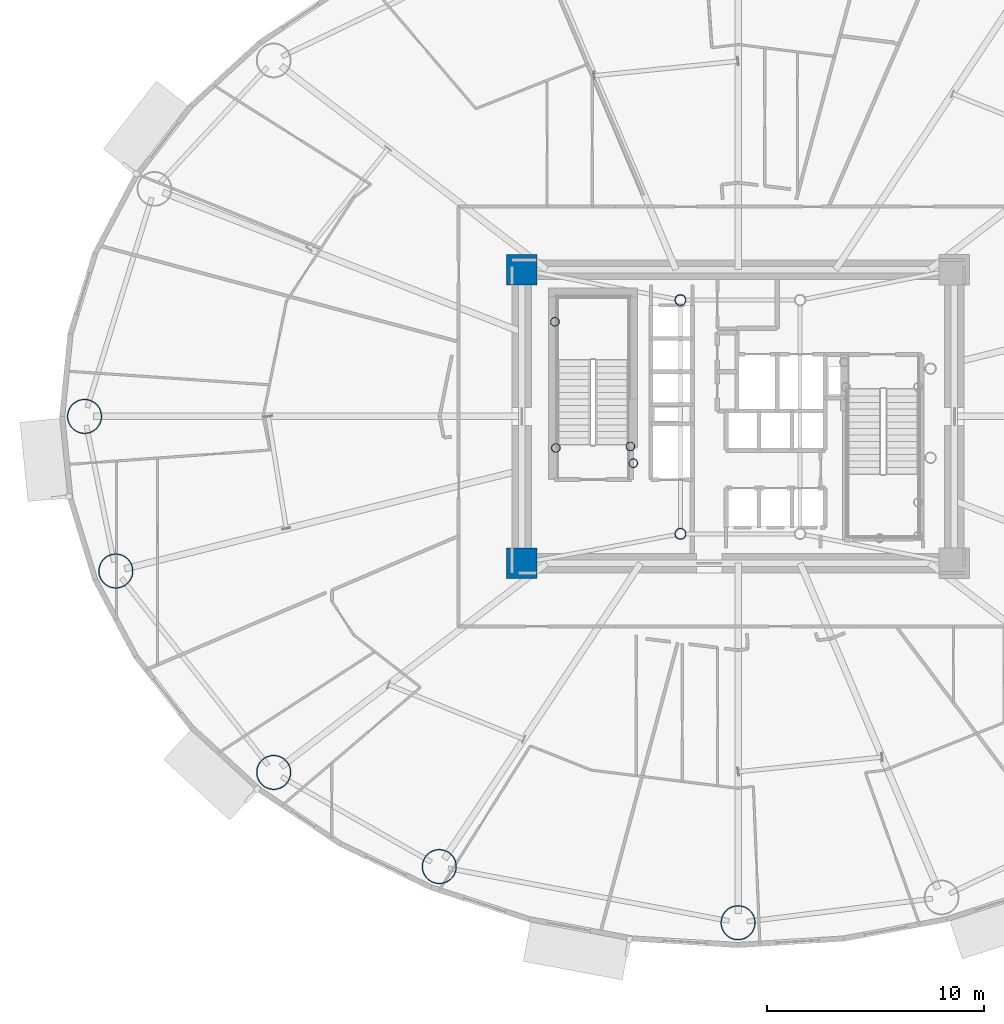
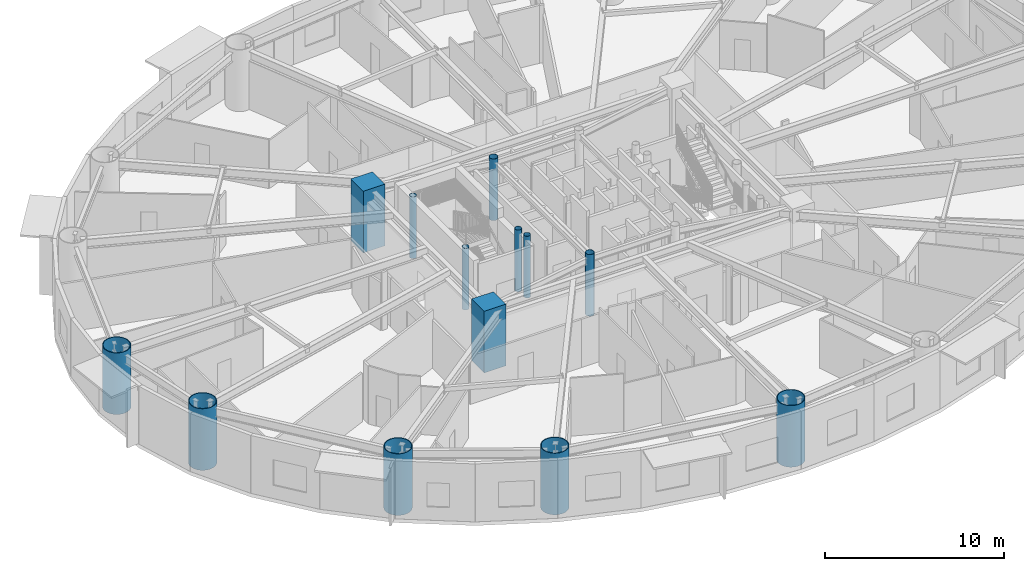
# One storey, part 1 of 24: 13 columns.
"""IFC4 building model written with IfcOpenShell, lengths in metres."""

from ifc_helpers import new_model, si_unit, direction, frame, origin, origin_2d, place, context, subcontext, project, spatial, rectangle, hollow_circle, extrude, material, material_profile, profile_set, type_object, element, save


model = new_model("IFC4")

# Units and contexts
model_context = context("Model", 3, precision=1e-05, world=origin(), true_north=direction((0.0, 1.0)))
body_context = subcontext(model_context, "Body", "Model", "MODEL_VIEW")
ifc_project = project(units=[si_unit("LENGTHUNIT", "METRE"), si_unit("AREAUNIT", "SQUARE_METRE"), si_unit("VOLUMEUNIT", "CUBIC_METRE"), si_unit("PLANEANGLEUNIT", "RADIAN"), si_unit("MASSUNIT", "GRAM", prefix="KILO")], contexts=[model_context])

# Site, building, storey
site_placement = place(None, origin())
site = spatial("IfcSite", under=ifc_project, at=site_placement, CompositionType="ELEMENT")
building_placement = place(site_placement, origin())
building = spatial("IfcBuilding", under=site, at=building_placement, Name="Linh Dai School and Residence Tower", CompositionType="ELEMENT")
storey_placement = place(building_placement, frame((0.0, 0.0, 74.39990234375)))
storey = spatial("IfcBuildingStorey", under=building, at=storey_placement, Name="L17", CompositionType="ELEMENT", Elevation=74.39990234375)

# Columns
ifc_material_1 = material(Name="Concrete B60 (C50/60)", Category="concrete")
ifc_material_profile_1 = material_profile(ifc_material_1, rectangle(XDim=1.39990234375, YDim=1.39990234375, at=origin_2d()), Name="RC 1400x1400")
ifc_profile_set_1 = profile_set([ifc_material_profile_1], Name="Concrete B60 (C50/60)")
column_type_1 = type_object("IfcColumnType", Name="COL-CC1", PredefinedType="COLUMN", material=ifc_profile_set_1)
for number, where, z_axis, x_axis, name in (
    (1, (26.050048828125, 20.25, 0.0), (0.0, 0.0, 1.0), (1.0, 0.0, 0.0), "L17 Core Corner Pier CC1"),
    (2, (26.050048828125, 33.75, 0.0), (0.0, 0.0, 1.0), (1.0, 0.0, 0.0), "L17 Core Corner Pier CC4"),
):
    element("IfcColumn", number, at=place(storey_placement, frame(where, z_axis=z_axis, x_axis=x_axis)), inside=storey, type_object=column_type_1, Name=name, PredefinedType="COLUMN", context=body_context, shape_type="SweptSolid", body=[
        extrude(rectangle(XDim=1.39990234375, YDim=1.39990234375, at=origin_2d()), origin(), (0.0, 0.0, 1.0), 4.2001953125),
    ])
ifc_material_2 = material(Name="Structural Steel S355JR", Category="steel")
ifc_material_profile_2 = material_profile(ifc_material_2, hollow_circle(Radius=0.203125, WallThickness=0.01611328125, at=origin_2d()), Name="CHS 406.4x16")
ifc_profile_set_2 = profile_set([ifc_material_profile_2], Name="Structural Steel S355JR")
column_type_2 = type_object("IfcColumnType", Name="COL-EC", PredefinedType="COLUMN", material=ifc_profile_set_2)
for number, where, z_axis, x_axis, name in (
    (3, (27.580078125, 31.35009765625, 0.0), (0.0, 0.0, 1.0), (1.0, 0.0, 0.0), "L17 Stair Shaft Landing Support Pier ST1NW"),
    (4, (31.050048828125, 25.6201171875, 0.0), (0.0, 0.0, 1.0), (1.0, 0.0, 0.0), "L17 Stair Shaft Landing Support Pier ST1SE"),
    (5, (31.179931640625, 24.85009765625, 0.0), (0.0, 0.0, 1.0), (1.0, 0.0, 0.0), "L17 Stair Shaft Landing Support Pier ST1SM"),
    (6, (27.6201171875, 25.550048828125, 0.0), (0.0, 0.0, 1.0), (1.0, 0.0, 0.0), "L17 Stair Shaft Landing Support Pier ST1SW"),
):
    element("IfcColumn", number, at=place(storey_placement, frame(where, z_axis=z_axis, x_axis=x_axis)), inside=storey, type_object=column_type_2, Name=name, PredefinedType="COLUMN", context=body_context, shape_type="SweptSolid", body=[
        extrude(hollow_circle(Radius=0.203125, WallThickness=0.01611328125, at=origin_2d()), origin(), (0.0, 0.0, 1.0), 4.2001953125),
    ])
ifc_material_profile_3 = material_profile(ifc_material_2, hollow_circle(Radius=0.800048828125, WallThickness=0.044921875, at=origin_2d()), Name="CHS 1600x45")
ifc_profile_set_3 = profile_set([ifc_material_profile_3], Name="Structural Steel S355JR")
column_type_3 = type_object("IfcColumnType", Name="COL-MC2", PredefinedType="COLUMN", material=ifc_profile_set_3)
for number, where, z_axis, x_axis, name in (
    (7, (5.949951171875, 27.0, 0.0), (0.0, 0.0, 1.0), (1.0, 0.0, 0.0), "L17 Perimeter CFT Mega-Column MC09"),
    (8, (7.38916015625, 19.891357421875, 0.0), (0.0, 0.0, 1.0), (1.0, 0.0, 0.0), "L17 Perimeter CFT Mega-Column MC10"),
    (9, (14.647216796875, 10.630859375, 0.0), (0.0, 0.0, 1.0), (1.0, 0.0, 0.0), "L17 Perimeter CFT Mega-Column MC11"),
    (10, (22.26171875, 6.30078125, 0.0), (0.0, 0.0, 1.0), (1.0, 0.0, 0.0), "L17 Perimeter CFT Mega-Column MC12"),
    (11, (36.0, 3.719970703125, 0.0), (0.0, 0.0, 1.0), (1.0, 0.0, 0.0), "L17 Perimeter CFT Mega-Column MC13"),
):
    element("IfcColumn", number, at=place(storey_placement, frame(where, z_axis=z_axis, x_axis=x_axis)), inside=storey, type_object=column_type_3, Name=name, PredefinedType="COLUMN", context=body_context, shape_type="SweptSolid", body=[
        extrude(hollow_circle(Radius=0.800048828125, WallThickness=0.044921875, at=origin_2d()), origin(), (0.0, 0.0, 1.0), 4.2001953125),
    ])
ifc_material_profile_4 = material_profile(ifc_material_2, hollow_circle(Radius=0.25390625, WallThickness=0.02001953125, at=origin_2d()), Name="CHS 508x20")
ifc_profile_set_4 = profile_set([ifc_material_profile_4], Name="Structural Steel S355JR")
column_type_4 = type_object("IfcColumnType", Name="COL-MCP", PredefinedType="COLUMN", material=ifc_profile_set_4)
for number, where, z_axis, x_axis, name in (
    (12, (33.35009765625, 21.60009765625, 0.0), (0.0, 0.0, 1.0), (1.0, 0.0, 0.0), "L17 Core Mast Support Pier MCP1"),
    (13, (33.35009765625, 32.35009765625, 0.0), (0.0, 0.0, 1.0), (1.0, 0.0, 0.0), "L17 Core Mast Support Pier MCP4"),
):
    element("IfcColumn", number, at=place(storey_placement, frame(where, z_axis=z_axis, x_axis=x_axis)), inside=storey, type_object=column_type_4, Name=name, PredefinedType="COLUMN", context=body_context, shape_type="SweptSolid", body=[
        extrude(hollow_circle(Radius=0.25390625, WallThickness=0.02001953125, at=origin_2d()), origin(), (0.0, 0.0, 1.0), 4.2001953125),
    ])

save(model, "model.ifc")
